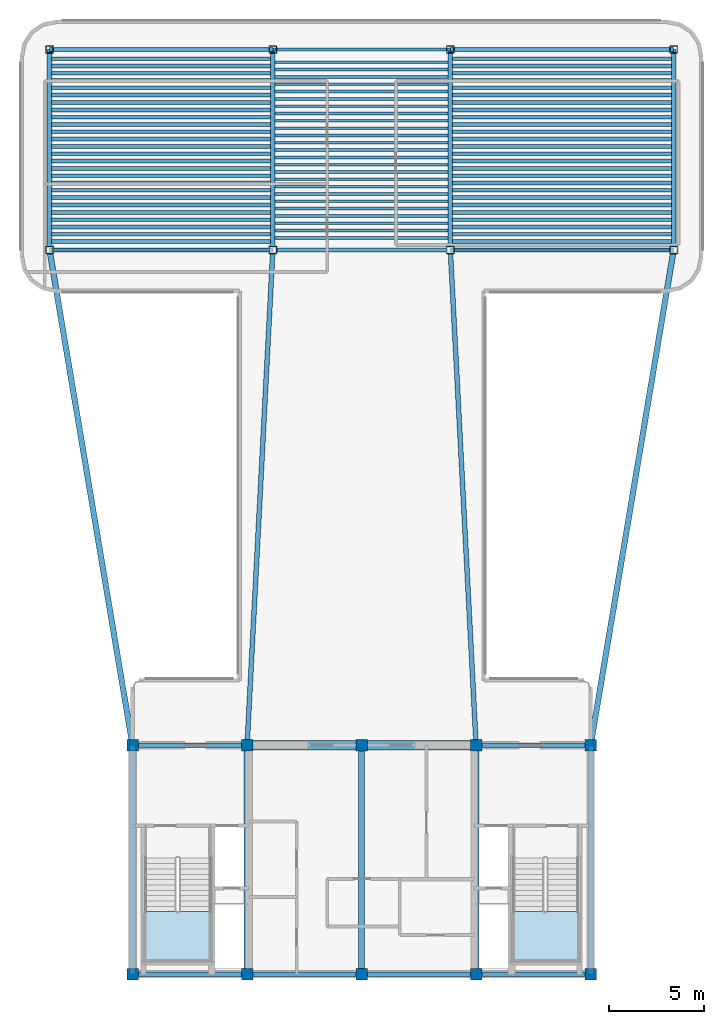
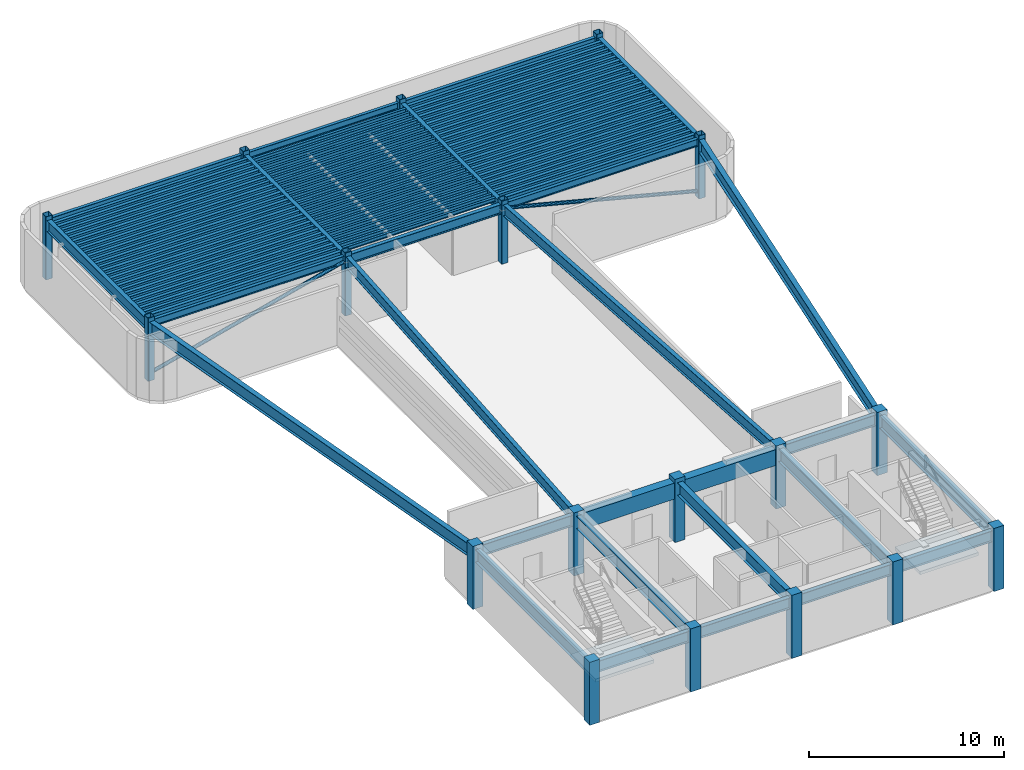
# One storey, part 1 of 6: 103 beams, 18 columns, 2 members, 2 slabs, 2 elements without a shape of their own.
"""IFC4 building model written with IfcOpenShell, lengths in metres."""

from ifc_helpers import new_model, si_unit, direction, frame, origin, origin_2d, place, context, subcontext, project, spatial, polyline, rectangle, hollow_rectangle, hollow_circle, i_section, outline, extrude, source, transform, mapped, material, layer, layer_set, material_profile, profile_set, type_object, element, aggregate, save


model = new_model("IFC4")

# Units and contexts
model_context = context("Model", 3, precision=1e-05, world=origin(), true_north=direction((0.0, 1.0)))
body_context = subcontext(model_context, "Body", "Model", "MODEL_VIEW")
ifc_project = project(units=[si_unit("LENGTHUNIT", "METRE"), si_unit("AREAUNIT", "SQUARE_METRE"), si_unit("VOLUMEUNIT", "CUBIC_METRE"), si_unit("PLANEANGLEUNIT", "RADIAN"), si_unit("MASSUNIT", "GRAM", prefix="KILO")], contexts=[model_context])

# Site, building, storey
site_placement = place(None, origin())
site = spatial("IfcSite", under=ifc_project, at=site_placement, CompositionType="ELEMENT")
building_placement = place(site_placement, origin())
building = spatial("IfcBuilding", under=site, at=building_placement, Name="Brelvock Crest Care Tower", CompositionType="ELEMENT")
storey_placement = place(building_placement, frame((0.0, 0.0, 311.760009765625)))
storey = spatial("IfcBuildingStorey", under=building, at=storey_placement, Name="L79", CompositionType="ELEMENT", Elevation=311.760009765625)

# Columns
ifc_material_1 = material(Name="Concrete S65 (65 MPa)", Category="concrete")
ifc_material_profile_1 = material_profile(ifc_material_1, rectangle(XDim=0.60009765625, YDim=0.60009765625, at=origin_2d()), Name="RC600x600")
ifc_profile_set_1 = profile_set([ifc_material_profile_1], Name="Concrete S65 (65 MPa)")
column_type_1 = type_object("IfcColumnType", Name="COL-RC4", PredefinedType="COLUMN", material=ifc_profile_set_1)
shared_shape_1 = source(origin(), body_context, "Body", "SweptSolid", [
    extrude(rectangle(XDim=0.60009765625, YDim=0.60009765625, at=origin_2d()), origin(), (0.0, 0.0, 1.0), 3.9599609375),
])
for number, where, z_axis, x_axis, name in (
    (1, (24.0, 6.0, 0.0), (0.0, 0.0, 1.0), (1.0, 0.0, 0.0), "L79 Core Column CC-01"),
    (2, (30.0, 6.0, 0.0), (0.0, 0.0, 1.0), (1.0, 0.0, 0.0), "L79 Core Column CC-02"),
    (3, (36.0, 6.0, 0.0), (0.0, 0.0, 1.0), (1.0, 0.0, 0.0), "L79 Core Column CC-03"),
    (4, (42.0, 6.0, 0.0), (0.0, 0.0, 1.0), (1.0, 0.0, 0.0), "L79 Core Column CC-04"),
    (5, (48.0, 6.0, 0.0), (0.0, 0.0, 1.0), (1.0, 0.0, 0.0), "L79 Core Column CC-05"),
    (6, (24.0, 18.0, 0.0), (0.0, 0.0, 1.0), (1.0, 0.0, 0.0), "L79 Core Column CC-06"),
    (7, (30.0, 18.0, 0.0), (0.0, 0.0, 1.0), (1.0, 0.0, 0.0), "L79 Core Column CC-07"),
    (8, (36.0, 18.0, 0.0), (0.0, 0.0, 1.0), (1.0, 0.0, 0.0), "L79 Core Column CC-08"),
    (9, (42.0, 18.0, 0.0), (0.0, 0.0, 1.0), (1.0, 0.0, 0.0), "L79 Core Column CC-09"),
    (10, (48.0, 18.0, 0.0), (0.0, 0.0, 1.0), (1.0, 0.0, 0.0), "L79 Core Column CC-10"),
):
    element("IfcColumn", number, at=place(storey_placement, frame(where, z_axis=z_axis, x_axis=x_axis)), inside=storey, type_object=column_type_1, Name=name, PredefinedType="COLUMN", context=body_context, shape_type="MappedRepresentation", body=[
        mapped(shared_shape_1, transform((0.0, 0.0, 0.0), x_axis=(1.0, 0.0, 0.0), y_axis=(0.0, 1.0, 0.0), z_axis=(0.0, 0.0, 1.0), scale=1.0)),
    ])
ifc_material_2 = material(Name="Steel Grade 350", Category="steel")
ifc_material_profile_2 = material_profile(ifc_material_2, hollow_rectangle(XDim=0.39990234375, YDim=0.39990234375, WallThickness=0.02001953125, OuterFilletRadius=0.0400390625, at=origin_2d()), Name="SHS400x400x20.0")
ifc_profile_set_2 = profile_set([ifc_material_profile_2], Name="Steel Grade 350")
column_type_2 = type_object("IfcColumnType", Name="COL-CR1", PredefinedType="COLUMN", material=ifc_profile_set_2)
shared_shape_2 = source(origin(), body_context, "Body", "SweptSolid", [
    extrude(hollow_rectangle(XDim=0.39990234375, YDim=0.39990234375, WallThickness=0.02001953125, OuterFilletRadius=0.0400390625, at=origin_2d()), origin(), (0.0, 0.0, 1.0), 3.9599609375),
])
for number, where, z_axis, x_axis, name in (
    (11, (19.64990234375, 43.949951171875, 0.0), (0.0, 0.0, 1.0), (1.0, 0.0, 0.0), "L79 Tower Column M1"),
    (12, (19.64990234375, 54.449951171875, 0.0), (0.0, 0.0, 1.0), (1.0, 0.0, 0.0), "L79 Tower Column M2"),
    (13, (52.35009765625, 43.949951171875, 0.0), (0.0, 0.0, 1.0), (1.0, 0.0, 0.0), "L79 Tower Column M3"),
    (14, (52.35009765625, 54.449951171875, 0.0), (0.0, 0.0, 1.0), (1.0, 0.0, 0.0), "L79 Tower Column M4"),
    (15, (31.35009765625, 43.949951171875, 0.0), (0.0, 0.0, 1.0), (1.0, 0.0, 0.0), "L79 Tower Column M5"),
    (16, (40.64990234375, 43.949951171875, 0.0), (0.0, 0.0, 1.0), (1.0, 0.0, 0.0), "L79 Tower Column M6"),
    (17, (31.35009765625, 54.449951171875, 0.0), (0.0, 0.0, 1.0), (1.0, 0.0, 0.0), "L79 Tower Column M7"),
    (18, (40.64990234375, 54.449951171875, 0.0), (0.0, 0.0, 1.0), (1.0, 0.0, 0.0), "L79 Tower Column M8"),
):
    element("IfcColumn", number, at=place(storey_placement, frame(where, z_axis=z_axis, x_axis=x_axis)), inside=storey, type_object=column_type_2, Name=name, PredefinedType="COLUMN", context=body_context, shape_type="MappedRepresentation", body=[
        mapped(shared_shape_2, transform((0.0, 0.0, 0.0), x_axis=(1.0, 0.0, 0.0), y_axis=(0.0, 1.0, 0.0), z_axis=(0.0, 0.0, 1.0), scale=1.0)),
    ])

# Beams
ifc_material_profile_3 = material_profile(ifc_material_2, i_section(OverallWidth=0.25, OverallDepth=0.699951171875, WebThickness=0.011962890625, FlangeThickness=0.02001953125, at=origin_2d()), Name="700WB150")
ifc_profile_set_3 = profile_set([ifc_material_profile_3], Name="Steel Grade 350")
beam_type_1 = type_object("IfcBeamType", Name="BM-G4", PredefinedType="BEAM", material=ifc_profile_set_3)
shared_shape_3 = source(origin(), body_context, "Body", "SweptSolid", [
    extrude(i_section(OverallWidth=0.25, OverallDepth=0.699951171875, WebThickness=0.011962890625, FlangeThickness=0.02001953125, at=origin_2d()), origin(), (0.0, 0.0, 1.0), 6.0),
])
for number, where, z_axis, x_axis, name in (
    (19, (24.0, 6.0, 3.360107421875), (1.0, 0.0, 0.0), (0.0, 1.0, 0.0), "BM-CORES-L79-1"),
    (20, (24.0, 18.0, 3.360107421875), (1.0, 0.0, 0.0), (0.0, 1.0, 0.0), "BM-COREN-L79-1"),
    (21, (30.0, 6.0, 3.360107421875), (1.0, 0.0, 0.0), (0.0, 1.0, 0.0), "BM-CORES-L79-2"),
    (22, (36.0, 6.0, 3.360107421875), (1.0, 0.0, 0.0), (0.0, 1.0, 0.0), "BM-CORES-L79-3"),
    (23, (42.0, 6.0, 3.360107421875), (1.0, 0.0, 0.0), (0.0, 1.0, 0.0), "BM-CORES-L79-4"),
    (24, (42.0, 18.0, 3.360107421875), (1.0, 0.0, 0.0), (0.0, 1.0, 0.0), "BM-COREN-L79-4"),
):
    element("IfcBeam", number, at=place(storey_placement, frame(where, z_axis=z_axis, x_axis=x_axis)), inside=storey, type_object=beam_type_1, Name=name, PredefinedType="BEAM", context=body_context, shape_type="MappedRepresentation", body=[
        mapped(shared_shape_3, transform((0.0, 0.0, 0.0), x_axis=(1.0, 0.0, 0.0), y_axis=(0.0, 1.0, 0.0), z_axis=(0.0, 0.0, 1.0), scale=1.0)),
    ])
ifc_material_profile_4 = material_profile(ifc_material_2, i_section(OverallWidth=0.300048828125, OverallDepth=0.800048828125, WebThickness=0.013916015625, FlangeThickness=0.02197265625, at=origin_2d()), Name="800WB192")
ifc_profile_set_4 = profile_set([ifc_material_profile_4], Name="Steel Grade 350")
beam_type_2 = type_object("IfcBeamType", Name="BM-G5", PredefinedType="BEAM", material=ifc_profile_set_4)
shared_shape_4 = source(origin(), body_context, "Body", "SweptSolid", [
    extrude(i_section(OverallWidth=0.300048828125, OverallDepth=0.800048828125, WebThickness=0.013916015625, FlangeThickness=0.02197265625, at=origin_2d()), origin(), (0.0, 0.0, 1.0), 12.0),
])
for number, where, z_axis, x_axis, name in (
    (25, (24.0, 6.0, 3.31005859375), (0.0, 1.0, 0.0), (-1.0, 0.0, 0.0), "BM-COREX-L79-1"),
    (26, (30.0, 6.0, 3.31005859375), (0.0, 1.0, 0.0), (-1.0, 0.0, 0.0), "BM-COREX-L79-2"),
    (27, (36.0, 6.0, 3.31005859375), (0.0, 1.0, 0.0), (-1.0, 0.0, 0.0), "BM-COREX-L79-3"),
    (28, (42.0, 6.0, 3.31005859375), (0.0, 1.0, 0.0), (-1.0, 0.0, 0.0), "BM-COREX-L79-4"),
    (29, (48.0, 6.0, 3.31005859375), (0.0, 1.0, 0.0), (-1.0, 0.0, 0.0), "BM-COREX-L79-5"),
):
    element("IfcBeam", number, at=place(storey_placement, frame(where, z_axis=z_axis, x_axis=x_axis)), inside=storey, type_object=beam_type_2, Name=name, PredefinedType="BEAM", context=body_context, shape_type="MappedRepresentation", body=[
        mapped(shared_shape_4, transform((0.0, 0.0, 0.0), x_axis=(1.0, 0.0, 0.0), y_axis=(0.0, 1.0, 0.0), z_axis=(0.0, 0.0, 1.0), scale=1.0)),
    ])
shared_shape_5 = source(origin(), body_context, "Body", "SweptSolid", [
    extrude(i_section(OverallWidth=0.25, OverallDepth=0.699951171875, WebThickness=0.011962890625, FlangeThickness=0.02001953125, at=origin_2d()), origin(), (0.0, 0.0, 1.0), 10.5),
])
for number, where, z_axis, x_axis, name in (
    (30, (19.64990234375, 43.949951171875, 3.360107421875), (0.0, 1.0, 0.0), (-1.0, 0.0, 0.0), "BM-TWR-L79-01"),
    (31, (52.35009765625, 43.949951171875, 3.360107421875), (0.0, 1.0, 0.0), (-1.0, 0.0, 0.0), "BM-TWR-L79-02"),
    (32, (31.35009765625, 43.949951171875, 3.360107421875), (0.0, 1.0, 0.0), (-1.0, 0.0, 0.0), "BM-TWR-L79-09"),
    (33, (40.64990234375, 43.949951171875, 3.360107421875), (0.0, 1.0, 0.0), (-1.0, 0.0, 0.0), "BM-TWR-L79-10"),
):
    element("IfcBeam", number, at=place(storey_placement, frame(where, z_axis=z_axis, x_axis=x_axis)), inside=storey, type_object=beam_type_1, Name=name, PredefinedType="BEAM", context=body_context, shape_type="MappedRepresentation", body=[
        mapped(shared_shape_5, transform((0.0, 0.0, 0.0), x_axis=(1.0, 0.0, 0.0), y_axis=(0.0, 1.0, 0.0), z_axis=(0.0, 0.0, 1.0), scale=1.0)),
    ])
ifc_material_profile_5 = material_profile(ifc_material_2, i_section(OverallWidth=0.22900390625, OverallDepth=0.612060546875, WebThickness=0.011962890625, FlangeThickness=0.01953125, FilletRadius=0.013916015625, at=origin_2d()), Name="610UB125")
ifc_profile_set_5 = profile_set([ifc_material_profile_5], Name="Steel Grade 350")
beam_type_3 = type_object("IfcBeamType", Name="BM-G1", PredefinedType="BEAM", material=ifc_profile_set_5)
shared_shape_6 = source(origin(), body_context, "Body", "SweptSolid", [
    extrude(i_section(OverallWidth=0.22900390625, OverallDepth=0.612060546875, WebThickness=0.011962890625, FlangeThickness=0.01953125, FilletRadius=0.013916015625, at=origin_2d()), origin(), (0.0, 0.0, 1.0), 9.2998046875),
])
beam_1_placement = place(storey_placement, frame((31.35009765625, 43.949951171875, 3.404052734375), z_axis=(1.0, 0.0, 0.0), x_axis=(0.0, 1.0, 0.0)))
element("IfcBeam", 34, at=beam_1_placement, inside=storey, type_object=beam_type_3, Name="BM-TWR-L79-05", PredefinedType="BEAM", context=body_context, shape_type="MappedRepresentation", body=[
    mapped(shared_shape_6, transform((0.0, 0.0, 0.0), x_axis=(1.0, 0.0, 0.0), y_axis=(0.0, 1.0, 0.0), z_axis=(0.0, 0.0, 1.0), scale=1.0)),
])
ifc_material_profile_6 = material_profile(ifc_material_2, i_section(OverallWidth=0.177978515625, OverallDepth=0.406005859375, WebThickness=0.0078125, FlangeThickness=0.0126953125, FilletRadius=0.011474609375, at=origin_2d()), Name="410UB59.7")
ifc_profile_set_6 = profile_set([ifc_material_profile_6], Name="Steel Grade 350")
beam_type_4 = type_object("IfcBeamType", Name="BM-SP1", PredefinedType="SPANDREL", material=ifc_profile_set_6)
shared_shape_7 = source(origin(), body_context, "Body", "SweptSolid", [
    extrude(i_section(OverallWidth=0.177978515625, OverallDepth=0.406005859375, WebThickness=0.0078125, FlangeThickness=0.0126953125, FilletRadius=0.011474609375, at=origin_2d()), origin(), (0.0, 0.0, 1.0), 9.2998046875),
])
beam_2_placement = place(storey_placement, frame((31.35009765625, 54.449951171875, 3.507080078125), z_axis=(1.0, 0.0, 0.0), x_axis=(0.0, 1.0, 0.0)))
element("IfcBeam", 35, at=beam_2_placement, inside=storey, type_object=beam_type_4, Name="BM-TWR-L79-08", PredefinedType="SPANDREL", context=body_context, shape_type="MappedRepresentation", body=[
    mapped(shared_shape_7, transform((0.0, 0.0, 0.0), x_axis=(1.0, 0.0, 0.0), y_axis=(0.0, 1.0, 0.0), z_axis=(0.0, 0.0, 1.0), scale=1.0)),
])
ifc_material_profile_7 = material_profile(ifc_material_2, i_section(OverallWidth=0.14599609375, OverallDepth=0.256103515625, WebThickness=0.00634765625, FlangeThickness=0.010986328125, FilletRadius=0.0087890625, at=origin_2d()), Name="250UB37.3")
ifc_profile_set_7 = profile_set([ifc_material_profile_7], Name="Steel Grade 350")
beam_type_5 = type_object("IfcBeamType", Name="BM-J3", PredefinedType="JOIST", material=ifc_profile_set_7)
shared_shape_8 = source(origin(), body_context, "Body", "SweptSolid", [
    extrude(i_section(OverallWidth=0.14599609375, OverallDepth=0.256103515625, WebThickness=0.00634765625, FlangeThickness=0.010986328125, FilletRadius=0.0087890625, at=origin_2d()), origin(), (0.0, 0.0, 1.0), 9.06982421875),
])
for number, where, z_axis, x_axis, name in (
    (36, (31.465087890625, 44.58251953125, 3.58203125), (1.0, 0.0, 0.0), (0.0, 1.0, 0.0), "BM-JH-L79-1"),
    (37, (31.465087890625, 44.9658203125, 3.58203125), (1.0, 0.0, 0.0), (0.0, 1.0, 0.0), "BM-JH-L79-2"),
    (38, (31.465087890625, 45.34912109375, 3.58203125), (1.0, 0.0, 0.0), (0.0, 1.0, 0.0), "BM-JH-L79-3"),
    (39, (31.465087890625, 45.732421875, 3.58203125), (1.0, 0.0, 0.0), (0.0, 1.0, 0.0), "BM-JH-L79-4"),
    (40, (31.465087890625, 46.115478515625, 3.58203125), (1.0, 0.0, 0.0), (0.0, 1.0, 0.0), "BM-JH-L79-5"),
    (41, (31.465087890625, 46.498779296875, 3.58203125), (1.0, 0.0, 0.0), (0.0, 1.0, 0.0), "BM-JH-L79-6"),
    (42, (31.465087890625, 46.882080078125, 3.58203125), (1.0, 0.0, 0.0), (0.0, 1.0, 0.0), "BM-JH-L79-7"),
    (43, (31.465087890625, 47.265380859375, 3.58203125), (1.0, 0.0, 0.0), (0.0, 1.0, 0.0), "BM-JH-L79-8"),
    (44, (31.465087890625, 47.648681640625, 3.58203125), (1.0, 0.0, 0.0), (0.0, 1.0, 0.0), "BM-JH-L79-9"),
    (45, (31.465087890625, 48.031982421875, 3.58203125), (1.0, 0.0, 0.0), (0.0, 1.0, 0.0), "BM-JH-L79-10"),
    (46, (31.465087890625, 48.4150390625, 3.58203125), (1.0, 0.0, 0.0), (0.0, 1.0, 0.0), "BM-JH-L79-11"),
    (47, (31.465087890625, 48.79833984375, 3.58203125), (1.0, 0.0, 0.0), (0.0, 1.0, 0.0), "BM-JH-L79-12"),
    (48, (31.465087890625, 49.181640625, 3.58203125), (1.0, 0.0, 0.0), (0.0, 1.0, 0.0), "BM-JH-L79-13"),
    (49, (31.465087890625, 49.564697265625, 3.58203125), (1.0, 0.0, 0.0), (0.0, 1.0, 0.0), "BM-JH-L79-14"),
    (50, (31.465087890625, 49.947998046875, 3.58203125), (1.0, 0.0, 0.0), (0.0, 1.0, 0.0), "BM-JH-L79-15"),
    (51, (31.465087890625, 50.331298828125, 3.58203125), (1.0, 0.0, 0.0), (0.0, 1.0, 0.0), "BM-JH-L79-16"),
    (52, (31.465087890625, 50.714599609375, 3.58203125), (1.0, 0.0, 0.0), (0.0, 1.0, 0.0), "BM-JH-L79-17"),
    (53, (31.465087890625, 51.097900390625, 3.58203125), (1.0, 0.0, 0.0), (0.0, 1.0, 0.0), "BM-JH-L79-18"),
    (54, (31.465087890625, 51.481201171875, 3.58203125), (1.0, 0.0, 0.0), (0.0, 1.0, 0.0), "BM-JH-L79-19"),
    (55, (31.465087890625, 51.864501953125, 3.58203125), (1.0, 0.0, 0.0), (0.0, 1.0, 0.0), "BM-JH-L79-20"),
    (56, (31.465087890625, 52.24755859375, 3.58203125), (1.0, 0.0, 0.0), (0.0, 1.0, 0.0), "BM-JH-L79-21"),
    (57, (31.465087890625, 52.630859375, 3.58203125), (1.0, 0.0, 0.0), (0.0, 1.0, 0.0), "BM-JH-L79-22"),
    (58, (31.465087890625, 53.01416015625, 3.58203125), (1.0, 0.0, 0.0), (0.0, 1.0, 0.0), "BM-JH-L79-23"),
    (59, (31.465087890625, 53.3974609375, 3.58203125), (1.0, 0.0, 0.0), (0.0, 1.0, 0.0), "BM-JH-L79-24"),
    (60, (31.465087890625, 53.780517578125, 3.58203125), (1.0, 0.0, 0.0), (0.0, 1.0, 0.0), "BM-JH-L79-25"),
):
    element("IfcBeam", number, at=place(storey_placement, frame(where, z_axis=z_axis, x_axis=x_axis)), inside=storey, type_object=beam_type_5, Name=name, PredefinedType="JOIST", context=body_context, shape_type="MappedRepresentation", body=[
        mapped(shared_shape_8, transform((0.0, 0.0, 0.0), x_axis=(1.0, 0.0, 0.0), y_axis=(0.0, 1.0, 0.0), z_axis=(0.0, 0.0, 1.0), scale=1.0)),
    ])
ifc_material_profile_8 = material_profile(ifc_material_1, rectangle(XDim=0.5, YDim=1.0, at=origin_2d()), Name="RC500x1000")
ifc_profile_set_8 = profile_set([ifc_material_profile_8], Name="Concrete S65 (65 MPa)")
beam_type_6 = type_object("IfcBeamType", Name="BM-LN2", PredefinedType="LINTEL", material=ifc_profile_set_8)
shared_shape_9 = source(origin(), body_context, "Body", "SweptSolid", [
    extrude(rectangle(XDim=0.5, YDim=1.0, at=origin_2d()), origin(), (0.0, 0.0, 1.0), 12.0),
])
beam_3_placement = place(storey_placement, frame((30.0, 18.0, 3.2099609375), z_axis=(1.0, 0.0, 0.0), x_axis=(0.0, 1.0, 0.0)))
element("IfcBeam", 61, at=beam_3_placement, inside=storey, type_object=beam_type_6, Name="L79 Core Coupling Lintel Beam", PredefinedType="LINTEL", context=body_context, shape_type="MappedRepresentation", body=[
    mapped(shared_shape_9, transform((0.0, 0.0, 0.0), x_axis=(1.0, 0.0, 0.0), y_axis=(0.0, 1.0, 0.0), z_axis=(0.0, 0.0, 1.0), scale=1.0)),
])
ifc_material_profile_9 = material_profile(ifc_material_2, i_section(OverallWidth=0.19091796875, OverallDepth=0.4599609375, WebThickness=0.010009765625, FlangeThickness=0.01611328125, FilletRadius=0.011474609375, at=origin_2d()), Name="460UB82.1")
ifc_profile_set_9 = profile_set([ifc_material_profile_9], Name="Steel Grade 350")
beam_type_7 = type_object("IfcBeamType", Name="BM-G3", PredefinedType="BEAM", material=ifc_profile_set_9)
shared_shape_10 = source(origin(), body_context, "Body", "SweptSolid", [
    extrude(i_section(OverallWidth=0.19091796875, OverallDepth=0.4599609375, WebThickness=0.010009765625, FlangeThickness=0.01611328125, FilletRadius=0.011474609375, at=origin_2d()), origin(), (0.0, 0.0, 1.0), 11.47021484375),
])
for number, where, z_axis, x_axis, name in (
    (62, (19.764892578125, 44.7744140625, 3.47998046875), (1.0, 0.0, 0.0), (0.0, 1.0, 0.0), "BM-JW-L79-2"),
    (63, (40.764892578125, 44.7744140625, 3.47998046875), (1.0, 0.0, 0.0), (0.0, 1.0, 0.0), "BM-JE-L79-2"),
    (64, (19.764892578125, 45.540771484375, 3.47998046875), (1.0, 0.0, 0.0), (0.0, 1.0, 0.0), "BM-JW-L79-4"),
    (65, (40.764892578125, 45.540771484375, 3.47998046875), (1.0, 0.0, 0.0), (0.0, 1.0, 0.0), "BM-JE-L79-4"),
    (66, (19.764892578125, 46.307373046875, 3.47998046875), (1.0, 0.0, 0.0), (0.0, 1.0, 0.0), "BM-JW-L79-6"),
    (67, (40.764892578125, 46.307373046875, 3.47998046875), (1.0, 0.0, 0.0), (0.0, 1.0, 0.0), "BM-JE-L79-6"),
    (68, (19.764892578125, 47.07373046875, 3.47998046875), (1.0, 0.0, 0.0), (0.0, 1.0, 0.0), "BM-JW-L79-8"),
    (69, (40.764892578125, 47.07373046875, 3.47998046875), (1.0, 0.0, 0.0), (0.0, 1.0, 0.0), "BM-JE-L79-8"),
    (70, (19.764892578125, 47.84033203125, 3.47998046875), (1.0, 0.0, 0.0), (0.0, 1.0, 0.0), "BM-JW-L79-10"),
    (71, (40.764892578125, 47.84033203125, 3.47998046875), (1.0, 0.0, 0.0), (0.0, 1.0, 0.0), "BM-JE-L79-10"),
    (72, (19.764892578125, 48.606689453125, 3.47998046875), (1.0, 0.0, 0.0), (0.0, 1.0, 0.0), "BM-JW-L79-12"),
    (73, (40.764892578125, 48.606689453125, 3.47998046875), (1.0, 0.0, 0.0), (0.0, 1.0, 0.0), "BM-JE-L79-12"),
    (74, (19.764892578125, 49.373291015625, 3.47998046875), (1.0, 0.0, 0.0), (0.0, 1.0, 0.0), "BM-JW-L79-14"),
    (75, (40.764892578125, 49.373291015625, 3.47998046875), (1.0, 0.0, 0.0), (0.0, 1.0, 0.0), "BM-JE-L79-14"),
    (76, (19.764892578125, 50.139892578125, 3.47998046875), (1.0, 0.0, 0.0), (0.0, 1.0, 0.0), "BM-JW-L79-16"),
    (77, (40.764892578125, 50.139892578125, 3.47998046875), (1.0, 0.0, 0.0), (0.0, 1.0, 0.0), "BM-JE-L79-16"),
    (78, (19.764892578125, 50.90625, 3.47998046875), (1.0, 0.0, 0.0), (0.0, 1.0, 0.0), "BM-JW-L79-18"),
    (79, (40.764892578125, 50.90625, 3.47998046875), (1.0, 0.0, 0.0), (0.0, 1.0, 0.0), "BM-JE-L79-18"),
    (80, (19.764892578125, 51.6728515625, 3.47998046875), (1.0, 0.0, 0.0), (0.0, 1.0, 0.0), "BM-JW-L79-20"),
    (81, (40.764892578125, 51.6728515625, 3.47998046875), (1.0, 0.0, 0.0), (0.0, 1.0, 0.0), "BM-JE-L79-20"),
    (82, (19.764892578125, 52.439208984375, 3.47998046875), (1.0, 0.0, 0.0), (0.0, 1.0, 0.0), "BM-JW-L79-22"),
    (83, (40.764892578125, 52.439208984375, 3.47998046875), (1.0, 0.0, 0.0), (0.0, 1.0, 0.0), "BM-JE-L79-22"),
    (84, (19.764892578125, 53.205810546875, 3.47998046875), (1.0, 0.0, 0.0), (0.0, 1.0, 0.0), "BM-JW-L79-24"),
    (85, (40.764892578125, 53.205810546875, 3.47998046875), (1.0, 0.0, 0.0), (0.0, 1.0, 0.0), "BM-JE-L79-24"),
    (86, (19.764892578125, 53.972412109375, 3.47998046875), (1.0, 0.0, 0.0), (0.0, 1.0, 0.0), "BM-JW-L79-26"),
    (87, (40.764892578125, 53.972412109375, 3.47998046875), (1.0, 0.0, 0.0), (0.0, 1.0, 0.0), "BM-JE-L79-26"),
):
    element("IfcBeam", number, at=place(storey_placement, frame(where, z_axis=z_axis, x_axis=x_axis)), inside=storey, type_object=beam_type_7, Name=name, PredefinedType="BEAM", context=body_context, shape_type="MappedRepresentation", body=[
        mapped(shared_shape_10, transform((0.0, 0.0, 0.0), x_axis=(1.0, 0.0, 0.0), y_axis=(0.0, 1.0, 0.0), z_axis=(0.0, 0.0, 1.0), scale=1.0)),
    ])
ifc_material_profile_10 = material_profile(ifc_material_2, i_section(OverallWidth=0.208984375, OverallDepth=0.532958984375, WebThickness=0.01025390625, FlangeThickness=0.015625, FilletRadius=0.013916015625, at=origin_2d()), Name="530UB92.4")
ifc_profile_set_10 = profile_set([ifc_material_profile_10], Name="Steel Grade 350")
beam_type_8 = type_object("IfcBeamType", Name="BM-G2", PredefinedType="BEAM", material=ifc_profile_set_10)
shared_shape_11 = source(origin(), body_context, "Body", "SweptSolid", [
    extrude(i_section(OverallWidth=0.208984375, OverallDepth=0.532958984375, WebThickness=0.01025390625, FlangeThickness=0.015625, FilletRadius=0.013916015625, at=origin_2d()), origin(), (0.0, 0.0, 1.0), 11.47021484375),
])
for number, where, z_axis, x_axis, name in (
    (88, (19.764892578125, 44.39111328125, 3.443603515625), (1.0, 0.0, 0.0), (0.0, 1.0, 0.0), "BM-JW-L79-1"),
    (89, (40.764892578125, 44.39111328125, 3.443603515625), (1.0, 0.0, 0.0), (0.0, 1.0, 0.0), "BM-JE-L79-1"),
    (90, (19.764892578125, 45.157470703125, 3.443603515625), (1.0, 0.0, 0.0), (0.0, 1.0, 0.0), "BM-JW-L79-3"),
    (91, (40.764892578125, 45.157470703125, 3.443603515625), (1.0, 0.0, 0.0), (0.0, 1.0, 0.0), "BM-JE-L79-3"),
    (92, (19.764892578125, 45.924072265625, 3.443603515625), (1.0, 0.0, 0.0), (0.0, 1.0, 0.0), "BM-JW-L79-5"),
    (93, (40.764892578125, 45.924072265625, 3.443603515625), (1.0, 0.0, 0.0), (0.0, 1.0, 0.0), "BM-JE-L79-5"),
    (94, (19.764892578125, 46.6904296875, 3.443603515625), (1.0, 0.0, 0.0), (0.0, 1.0, 0.0), "BM-JW-L79-7"),
    (95, (40.764892578125, 46.6904296875, 3.443603515625), (1.0, 0.0, 0.0), (0.0, 1.0, 0.0), "BM-JE-L79-7"),
    (96, (19.764892578125, 47.45703125, 3.443603515625), (1.0, 0.0, 0.0), (0.0, 1.0, 0.0), "BM-JW-L79-9"),
    (97, (40.764892578125, 47.45703125, 3.443603515625), (1.0, 0.0, 0.0), (0.0, 1.0, 0.0), "BM-JE-L79-9"),
    (98, (19.764892578125, 48.223388671875, 3.443603515625), (1.0, 0.0, 0.0), (0.0, 1.0, 0.0), "BM-JW-L79-11"),
    (99, (40.764892578125, 48.223388671875, 3.443603515625), (1.0, 0.0, 0.0), (0.0, 1.0, 0.0), "BM-JE-L79-11"),
    (100, (19.764892578125, 48.989990234375, 3.443603515625), (1.0, 0.0, 0.0), (0.0, 1.0, 0.0), "BM-JW-L79-13"),
    (101, (40.764892578125, 48.989990234375, 3.443603515625), (1.0, 0.0, 0.0), (0.0, 1.0, 0.0), "BM-JE-L79-13"),
    (102, (19.764892578125, 49.756591796875, 3.443603515625), (1.0, 0.0, 0.0), (0.0, 1.0, 0.0), "BM-JW-L79-15"),
    (103, (40.764892578125, 49.756591796875, 3.443603515625), (1.0, 0.0, 0.0), (0.0, 1.0, 0.0), "BM-JE-L79-15"),
    (104, (19.764892578125, 50.52294921875, 3.443603515625), (1.0, 0.0, 0.0), (0.0, 1.0, 0.0), "BM-JW-L79-17"),
    (105, (40.764892578125, 50.52294921875, 3.443603515625), (1.0, 0.0, 0.0), (0.0, 1.0, 0.0), "BM-JE-L79-17"),
    (106, (19.764892578125, 51.28955078125, 3.443603515625), (1.0, 0.0, 0.0), (0.0, 1.0, 0.0), "BM-JW-L79-19"),
    (107, (40.764892578125, 51.28955078125, 3.443603515625), (1.0, 0.0, 0.0), (0.0, 1.0, 0.0), "BM-JE-L79-19"),
    (108, (19.764892578125, 52.055908203125, 3.443603515625), (1.0, 0.0, 0.0), (0.0, 1.0, 0.0), "BM-JW-L79-21"),
    (109, (40.764892578125, 52.055908203125, 3.443603515625), (1.0, 0.0, 0.0), (0.0, 1.0, 0.0), "BM-JE-L79-21"),
    (110, (19.764892578125, 52.822509765625, 3.443603515625), (1.0, 0.0, 0.0), (0.0, 1.0, 0.0), "BM-JW-L79-23"),
    (111, (40.764892578125, 52.822509765625, 3.443603515625), (1.0, 0.0, 0.0), (0.0, 1.0, 0.0), "BM-JE-L79-23"),
    (112, (19.764892578125, 53.589111328125, 3.443603515625), (1.0, 0.0, 0.0), (0.0, 1.0, 0.0), "BM-JW-L79-25"),
    (113, (40.764892578125, 53.589111328125, 3.443603515625), (1.0, 0.0, 0.0), (0.0, 1.0, 0.0), "BM-JE-L79-25"),
):
    element("IfcBeam", number, at=place(storey_placement, frame(where, z_axis=z_axis, x_axis=x_axis)), inside=storey, type_object=beam_type_8, Name=name, PredefinedType="BEAM", context=body_context, shape_type="MappedRepresentation", body=[
        mapped(shared_shape_11, transform((0.0, 0.0, 0.0), x_axis=(1.0, 0.0, 0.0), y_axis=(0.0, 1.0, 0.0), z_axis=(0.0, 0.0, 1.0), scale=1.0)),
    ])
ifc_material_profile_11 = material_profile(ifc_material_2, i_section(OverallWidth=0.19091796875, OverallDepth=0.4599609375, WebThickness=0.010009765625, FlangeThickness=0.01611328125, FilletRadius=0.011474609375, at=origin_2d()), Name="460UB82.1")
ifc_profile_set_11 = profile_set([ifc_material_profile_11], Name="Steel Grade 350")
beam_type_9 = type_object("IfcBeamType", Name="BM-SP2", PredefinedType="SPANDREL", material=ifc_profile_set_11)
shared_shape_12 = source(origin(), body_context, "Body", "SweptSolid", [
    extrude(i_section(OverallWidth=0.19091796875, OverallDepth=0.4599609375, WebThickness=0.010009765625, FlangeThickness=0.01611328125, FilletRadius=0.011474609375, at=origin_2d()), origin(), (0.0, 0.0, 1.0), 11.7001953125),
])
for number, where, z_axis, x_axis, name in (
    (114, (19.64990234375, 43.949951171875, 3.47998046875), (1.0, 0.0, 0.0), (0.0, 1.0, 0.0), "BM-TWR-L79-03"),
    (115, (40.64990234375, 43.949951171875, 3.47998046875), (1.0, 0.0, 0.0), (0.0, 1.0, 0.0), "BM-TWR-L79-04"),
    (116, (19.64990234375, 54.449951171875, 3.47998046875), (1.0, 0.0, 0.0), (0.0, 1.0, 0.0), "BM-TWR-L79-06"),
    (117, (40.64990234375, 54.449951171875, 3.47998046875), (1.0, 0.0, 0.0), (0.0, 1.0, 0.0), "BM-TWR-L79-07"),
):
    element("IfcBeam", number, at=place(storey_placement, frame(where, z_axis=z_axis, x_axis=x_axis)), inside=storey, type_object=beam_type_9, Name=name, PredefinedType="SPANDREL", context=body_context, shape_type="MappedRepresentation", body=[
        mapped(shared_shape_12, transform((0.0, 0.0, 0.0), x_axis=(1.0, 0.0, 0.0), y_axis=(0.0, 1.0, 0.0), z_axis=(0.0, 0.0, 1.0), scale=1.0)),
    ])
shared_shape_13 = source(origin(), body_context, "Body", "SweptSolid", [
    extrude(i_section(OverallWidth=0.25, OverallDepth=0.699951171875, WebThickness=0.011962890625, FlangeThickness=0.02001953125, at=origin_2d()), origin(), (0.0, 0.0, 1.0), 25.985107421875),
])
for number, where, z_axis, x_axis, name in (
    (118, (30.0, 18.0, 3.360107421875), (0.051956711656, 0.998649337913, 0.0), (-0.998649337913, 0.051956711656, 0.0), "BM-THRW-L79"),
    (119, (42.0, 18.0, 3.360107421875), (-0.051956711656, 0.998649337913, 0.0), (-0.998649337913, -0.051956711656, 0.0), "BM-THRE-L79"),
):
    element("IfcBeam", number, at=place(storey_placement, frame(where, z_axis=z_axis, x_axis=x_axis)), inside=storey, type_object=beam_type_1, Name=name, PredefinedType="BEAM", context=body_context, shape_type="MappedRepresentation", body=[
        mapped(shared_shape_13, transform((0.0, 0.0, 0.0), x_axis=(1.0, 0.0, 0.0), y_axis=(0.0, 1.0, 0.0), z_axis=(0.0, 0.0, 1.0), scale=1.0)),
    ])
shared_shape_14 = source(origin(), body_context, "Body", "SweptSolid", [
    extrude(i_section(OverallWidth=0.300048828125, OverallDepth=0.800048828125, WebThickness=0.013916015625, FlangeThickness=0.02197265625, at=origin_2d()), origin(), (0.0, 0.0, 1.0), 26.31201171875),
])
for number, where, z_axis, x_axis, name in (
    (120, (24.0, 18.0, 3.31005859375), (-0.165327282709, 0.986238758918, 0.0), (-0.986238758918, -0.165327282709, 0.0), "BM-THRO-W-L79"),
    (121, (48.0, 18.0, 3.31005859375), (0.165327282709, 0.986238758918, 0.0), (-0.986238758918, 0.165327282709, 0.0), "BM-THRO-E-L79"),
):
    element("IfcBeam", number, at=place(storey_placement, frame(where, z_axis=z_axis, x_axis=x_axis)), inside=storey, type_object=beam_type_2, Name=name, PredefinedType="BEAM", context=body_context, shape_type="MappedRepresentation", body=[
        mapped(shared_shape_14, transform((0.0, 0.0, 0.0), x_axis=(1.0, 0.0, 0.0), y_axis=(0.0, 1.0, 0.0), z_axis=(0.0, 0.0, 1.0), scale=1.0)),
    ])

# Members
ifc_material_profile_12 = material_profile(ifc_material_2, hollow_circle(Radius=0.109619140625, WallThickness=0.00830078125, at=origin_2d()), Name="CHS219.1x8.2")
ifc_profile_set_12 = profile_set([ifc_material_profile_12], Name="Steel Grade 350")
member_type = type_object("IfcMemberType", Name="MEM-ST3", PredefinedType="STRUT", material=ifc_profile_set_12)
shared_shape_15 = source(origin(), body_context, "Body", "SweptSolid", [
    extrude(hollow_circle(Radius=0.109619140625, WallThickness=0.00830078125, at=origin_2d()), origin(), (0.0, 0.0, 1.0), 12.0810546875),
])
for number, where, z_axis, x_axis, name in (
    (122, (19.64990234375, 43.949951171875, 0.35009765625), (0.968465213611, 0.0, 0.249148811005), (0.0, 1.0, 0.0), "L79 Crown Frame Strut CST-W"),
    (123, (52.35009765625, 43.949951171875, 0.35009765625), (-0.968465213611, 0.0, 0.249148811005), (0.0, -1.0, 0.0), "L79 Crown Frame Strut CST-E"),
):
    element("IfcMember", number, at=place(storey_placement, frame(where, z_axis=z_axis, x_axis=x_axis)), inside=storey, type_object=member_type, Name=name, PredefinedType="STRUT", context=body_context, shape_type="MappedRepresentation", body=[
        mapped(shared_shape_15, transform((0.0, 0.0, 0.0), x_axis=(1.0, 0.0, 0.0), y_axis=(0.0, 1.0, 0.0), z_axis=(0.0, 0.0, 1.0), scale=1.0)),
    ])

# Stair, slab
ifc_material_3 = material(Name="Concrete N40 (40 MPa)", Category="concrete")
stair_type = type_object("IfcStairType", Name="ST-CORE1", PredefinedType="HALF_TURN_STAIR", material=ifc_material_3)
stair_1_placement = place(storey_placement, origin())
stair_1 = element("IfcStair", 124, at=stair_1_placement, inside=storey, type_object=stair_type, Name="L79 Fire-Isolated Core Stair ST-1", PredefinedType="HALF_TURN_STAIR")
ifc_layer = layer(ifc_material_3, 0.199951171875, Name="STL-1")
ifc_layer_set = layer_set([ifc_layer], Name="Concrete N40 (40 MPa)")
slab_type = type_object("IfcSlabType", Name="STL-1", PredefinedType="LANDING", material=ifc_layer_set)
slab_1_placement = place(storey_placement, frame((0.0, 0.0, 1.780029296875)))
slab_1 = element("IfcSlab", 125, at=slab_1_placement, type_object=slab_type, Name="ST-1 landing 1", PredefinedType="LANDING", context=body_context, shape_type="SweptSolid", body=[
    extrude(outline(polyline([(24.6298828125, 9.280029296875), (24.6298828125, 6.699951171875), (28.110107421875, 6.699951171875), (28.110107421875, 9.280029296875), (24.6298828125, 9.280029296875)])), origin(), (0.0, 0.0, 1.0), 0.199951171875),
])
aggregate(stair_1, [slab_1])

stair_2_placement = place(storey_placement, origin())
stair_2 = element("IfcStair", 126, at=stair_2_placement, inside=storey, type_object=stair_type, Name="L79 Fire-Isolated Core Stair ST-2", PredefinedType="HALF_TURN_STAIR")
slab_2_placement = place(storey_placement, frame((0.0, 0.0, 1.780029296875)))
slab_2 = element("IfcSlab", 127, at=slab_2_placement, type_object=slab_type, Name="ST-2 landing 1", PredefinedType="LANDING", context=body_context, shape_type="SweptSolid", body=[
    extrude(outline(polyline([(43.889892578125, 9.280029296875), (43.889892578125, 6.699951171875), (47.3701171875, 6.699951171875), (47.3701171875, 9.280029296875), (43.889892578125, 9.280029296875)])), origin(), (0.0, 0.0, 1.0), 0.199951171875),
])
aggregate(stair_2, [slab_2])

save(model, "model.ifc")
